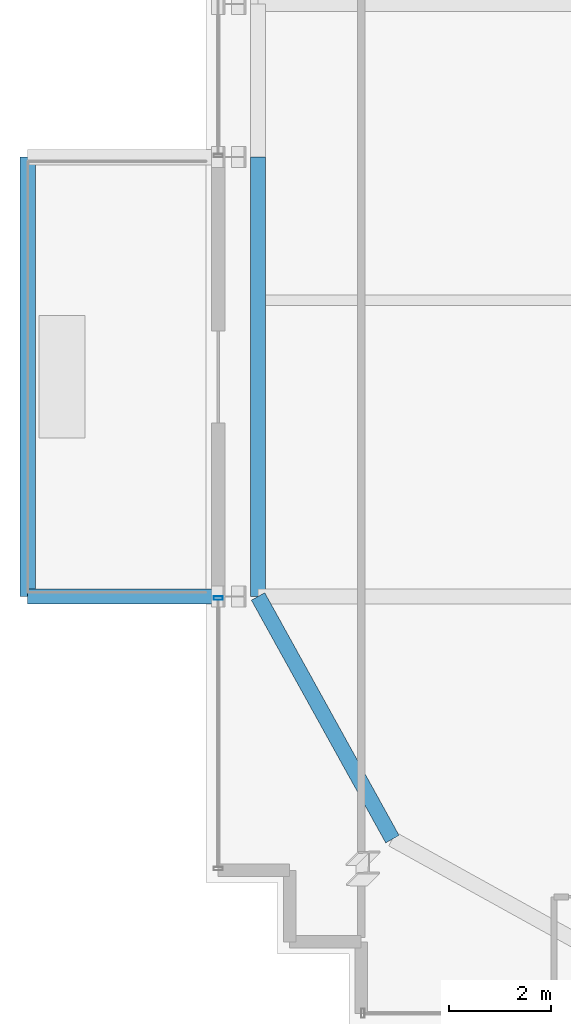
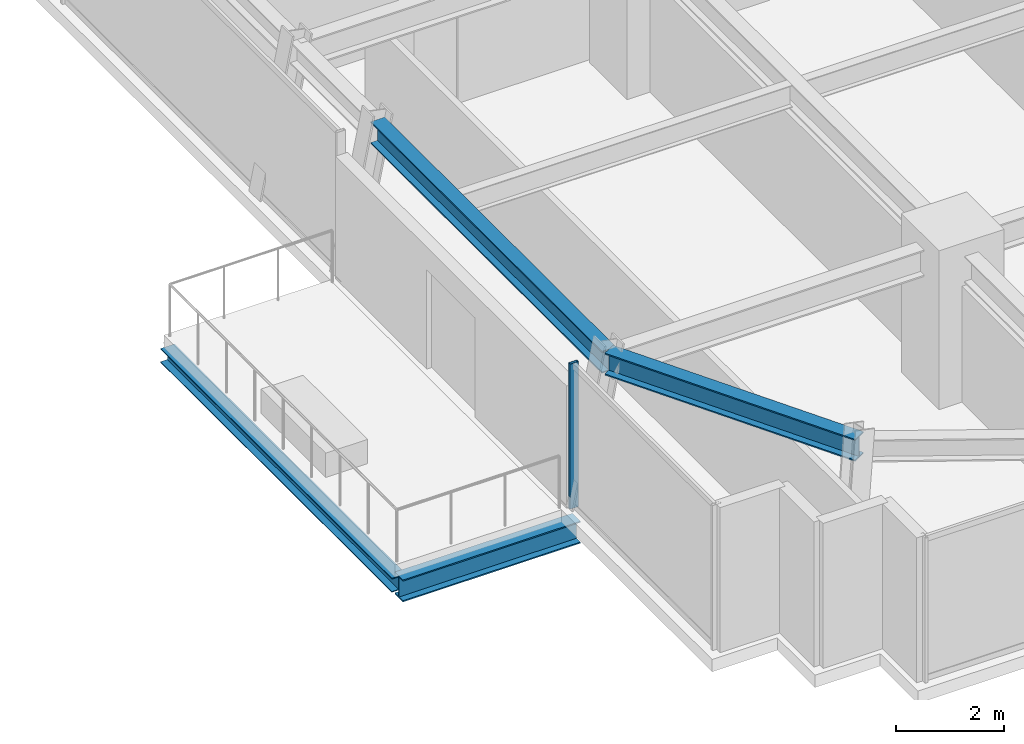
# One storey, part 3 of 35: 4 beams, 1 member, 1 element without a shape of its own.
"""IFC4 building model written with IfcOpenShell, lengths in metres."""

from ifc_helpers import new_model, si_unit, direction, frame, origin, origin_2d, place, context, subcontext, project, spatial, hollow_rectangle, i_section, extrude, source, transform, mapped, material, material_profile, profile_set, type_object, element, aggregate, save


model = new_model("IFC4")

# Units and contexts
model_context = context("Model", 3, precision=1e-05, world=origin(), true_north=direction((0.0, 1.0)))
body_context = subcontext(model_context, "Body", "Model", "MODEL_VIEW")
ifc_project = project(units=[si_unit("LENGTHUNIT", "METRE"), si_unit("AREAUNIT", "SQUARE_METRE"), si_unit("VOLUMEUNIT", "CUBIC_METRE"), si_unit("PLANEANGLEUNIT", "RADIAN"), si_unit("MASSUNIT", "GRAM", prefix="KILO")], contexts=[model_context])

# Site, building, storey
site_placement = place(None, origin())
site = spatial("IfcSite", under=ifc_project, at=site_placement, CompositionType="ELEMENT")
building_placement = place(site_placement, origin())
building = spatial("IfcBuilding", under=site, at=building_placement, Name="Nahalor Promenade Grand Hotel", CompositionType="ELEMENT")
storey_placement = place(building_placement, frame((0.0, 0.0, 79.85009765625)))
storey = spatial("IfcBuildingStorey", under=building, at=storey_placement, Name="L19", CompositionType="ELEMENT", Elevation=79.85009765625)

# Beams
ifc_material_1 = material(Name="Steel S355JR", Category="steel")
ifc_material_profile_1 = material_profile(ifc_material_1, i_section(OverallWidth=0.3, OverallDepth=0.32, WebThickness=0.0115, FlangeThickness=0.0205, at=origin_2d()), Name="HEB 320")
ifc_profile_set_1 = profile_set([ifc_material_profile_1], Name="Steel S355JR")
beam_type_1 = type_object("IfcBeamType", Name="Beam-BalcEdge-HEB320", PredefinedType="SPANDREL", material=ifc_profile_set_1)
shared_shape_1 = source(origin(), body_context, "Body", "SweptSolid", [
    extrude(i_section(OverallWidth=0.3, OverallDepth=0.32, WebThickness=0.0115, FlangeThickness=0.0205, at=origin_2d()), origin(), (0.0, 0.0, 1.0), 8.60009765625),
])
beam_1_placement = place(storey_placement, frame((-28.889892578125, -17.0, -0.440185546875), z_axis=(0.0, 1.0, 0.0), x_axis=(-1.0, 0.0, 0.0)))
element("IfcBeam", 1, at=beam_1_placement, inside=storey, type_object=beam_type_1, Name="BM-L19-BC-02-F", PredefinedType="SPANDREL", context=body_context, shape_type="MappedRepresentation", body=[
    mapped(shared_shape_1, transform((0.0, 0.0, 0.0), scale=1.0)),
])
ifc_material_profile_2 = material_profile(ifc_material_1, i_section(OverallWidth=0.3, OverallDepth=0.5, WebThickness=0.0145, FlangeThickness=0.028, at=origin_2d()), Name="HEB 500")
ifc_profile_set_2 = profile_set([ifc_material_profile_2], Name="Steel S355JR")
beam_type_2 = type_object("IfcBeamType", Name="Beam-Outrigger-HEB500", PredefinedType="BEAM", material=ifc_profile_set_2)
shared_shape_2 = source(origin(), body_context, "Body", "SweptSolid", [
    extrude(i_section(OverallWidth=0.3, OverallDepth=0.5, WebThickness=0.0145, FlangeThickness=0.028, at=origin_2d()), origin(), (0.0, 0.0, 1.0), 3.809814453125),
])
beam_2_placement = place(storey_placement, frame((-28.889892578125, -17.0, -0.530029296875), z_axis=(1.0, 0.0, 0.0), x_axis=(0.0, 1.0, 0.0)))
element("IfcBeam", 2, at=beam_2_placement, inside=storey, type_object=beam_type_2, Name="BM-L19-BC-02-1", PredefinedType="BEAM", context=body_context, shape_type="MappedRepresentation", body=[
    mapped(shared_shape_2, transform((0.0, 0.0, 0.0), scale=1.0)),
])
ifc_material_profile_3 = material_profile(ifc_material_1, i_section(OverallWidth=0.3, OverallDepth=0.5, WebThickness=0.0145, FlangeThickness=0.028, at=origin_2d()), Name="HEB 500")
ifc_profile_set_3 = profile_set([ifc_material_profile_3], Name="Steel S355JR")
beam_type_3 = type_object("IfcBeamType", Name="Beam-Spandrel-HEB500", PredefinedType="SPANDREL", material=ifc_profile_set_3)
shared_shape_3 = source(origin(), body_context, "Body", "SweptSolid", [
    extrude(i_section(OverallWidth=0.3, OverallDepth=0.5, WebThickness=0.0145, FlangeThickness=0.028, at=origin_2d()), origin(), (0.0, 0.0, 1.0), 8.60009765625),
])
beam_3_placement = place(storey_placement, frame((-24.3798828125, -17.0, 3.039794921875), z_axis=(0.0, 1.0, 0.0), x_axis=(-1.0, 0.0, 0.0)))
element("IfcBeam", 3, at=beam_3_placement, inside=storey, type_object=beam_type_3, Name="BM-L19-SP-W-0", PredefinedType="SPANDREL", context=body_context, shape_type="MappedRepresentation", body=[
    mapped(shared_shape_3, transform((0.0, 0.0, 0.0), scale=1.0)),
])
shared_shape_4 = source(origin(), body_context, "Body", "SweptSolid", [
    extrude(i_section(OverallWidth=0.3, OverallDepth=0.5, WebThickness=0.0145, FlangeThickness=0.028, at=origin_2d()), origin(), (0.0, 0.0, 1.0), 5.429443359375),
])
beam_4_placement = place(storey_placement, frame((-21.75, -21.75, 3.039794921875), z_axis=(-0.484374885523, 0.874860543329, 0.0), x_axis=(-0.874860543329, -0.484374885523, 0.0)))
element("IfcBeam", 4, at=beam_4_placement, inside=storey, type_object=beam_type_3, Name="BM-L19-SPC-SW-2", PredefinedType="SPANDREL", context=body_context, shape_type="MappedRepresentation", body=[
    mapped(shared_shape_4, transform((0.0, 0.0, 0.0), scale=1.0)),
])

# Curtain wall, member
ifc_material_2 = material(Name="Anodised Bronze Aluminium EN AW-6063 T6", Category="aluminium")
curtain_wall_type = type_object("IfcCurtainWallType", Name="CW2 Typical Hotel Flush Bronze Unitised Curtain Wall", PredefinedType="USERDEFINED", material=ifc_material_2)
curtain_wall_placement = place(storey_placement, origin())
curtain_wall = element("IfcCurtainWall", 5, at=curtain_wall_placement, inside=storey, type_object=curtain_wall_type, Name="L19 Curtain Wall CW-L19-W-1", ObjectType="UNITISED_CURTAIN_WALL", PredefinedType="USERDEFINED")
ifc_material_profile_4 = material_profile(ifc_material_2, hollow_rectangle(XDim=0.065, YDim=0.18, WallThickness=0.004, at=origin_2d()), Name="CWM 65x180x4")
ifc_profile_set_4 = profile_set([ifc_material_profile_4], Name="Anodised Bronze Aluminium EN AW-6063 T6")
member_type = type_object("IfcMemberType", Name="CWM2 Typical Bronze Mullion 65x180", PredefinedType="MULLION", material=ifc_profile_set_4)
shared_shape_5 = source(origin(), body_context, "Body", "SweptSolid", [
    extrude(hollow_rectangle(XDim=0.065, YDim=0.18, WallThickness=0.004, at=origin_2d()), origin(), (0.0, 0.0, 1.0), 3.289794921875),
])
member_placement = place(storey_placement, frame((-25.159912109375, -17.032470703125, 0.0), z_axis=(0.0, 0.0, 1.0), x_axis=(0.0, 1.0, 0.0)))
member = element("IfcMember", 6, at=member_placement, type_object=member_type, Name="CW-L19-W-1 Mullion 1", PredefinedType="MULLION", context=body_context, shape_type="MappedRepresentation", body=[
    mapped(shared_shape_5, transform((0.0, 0.0, 0.0), scale=1.0)),
])
aggregate(curtain_wall, [member])

save(model, "model.ifc")
